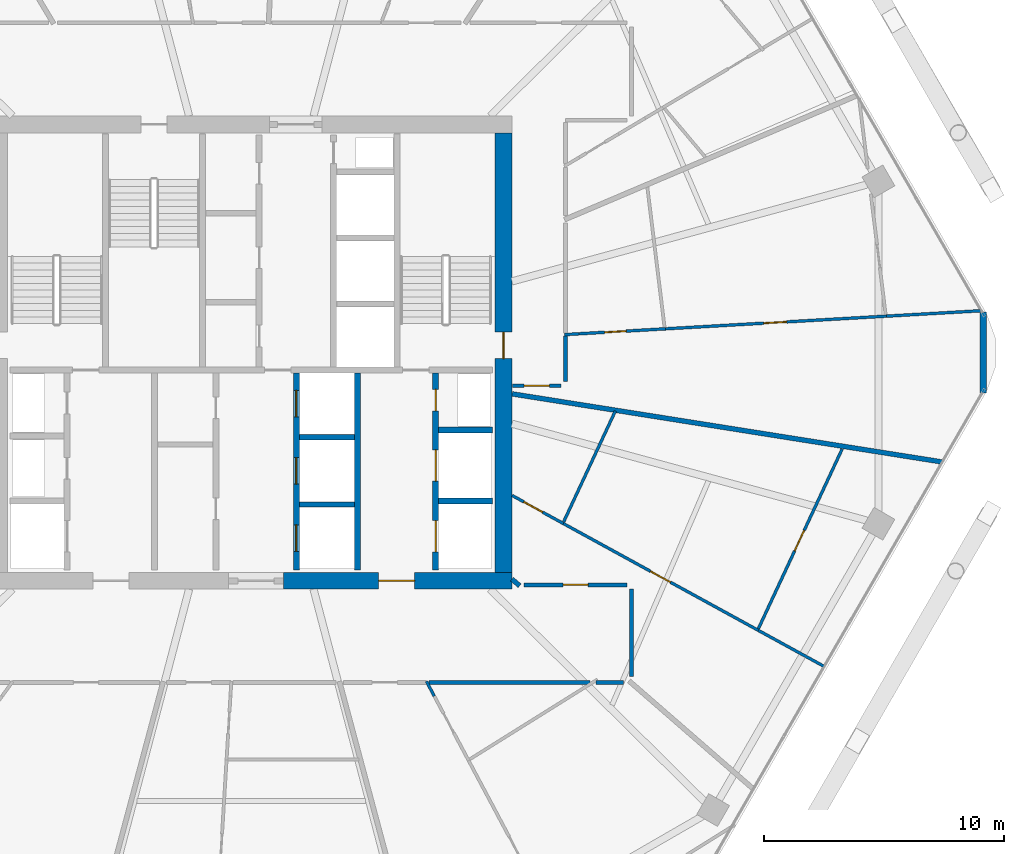
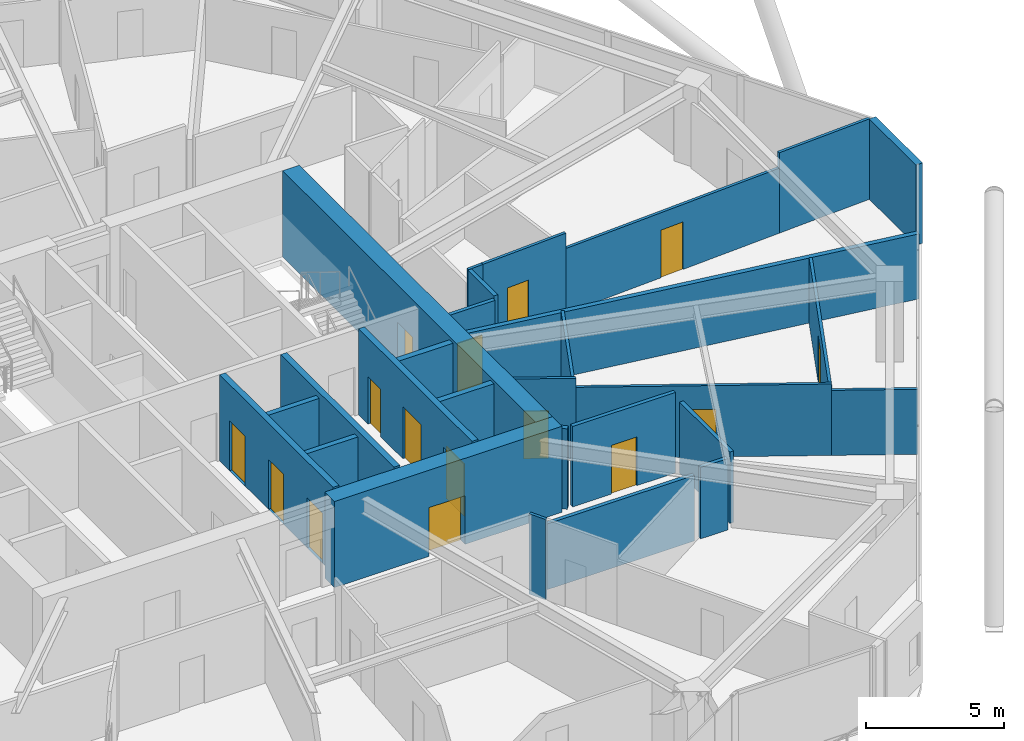
# One storey, part 23 of 29: 28 walls, 15 doors, 15 openings.
"""IFC4 building model written with IfcOpenShell, lengths in metres."""

from ifc_helpers import new_model, si_unit, direction, frame, frame_2d, origin, place, context, subcontext, project, spatial, rectangle, extrude, material, layer, layer_set, type_object, element, fill, save


model = new_model("IFC4")

# Units and contexts
model_context = context("Model", 3, precision=1e-05, world=origin(), true_north=direction((0.0, 1.0)))
body_context = subcontext(model_context, "Body", "Model", "MODEL_VIEW")
ifc_project = project(units=[si_unit("LENGTHUNIT", "METRE"), si_unit("AREAUNIT", "SQUARE_METRE"), si_unit("VOLUMEUNIT", "CUBIC_METRE"), si_unit("PLANEANGLEUNIT", "RADIAN"), si_unit("MASSUNIT", "GRAM", prefix="KILO")], contexts=[model_context])

# Site, building, storey
site_placement = place(None, origin())
site = spatial("IfcSite", under=ifc_project, at=site_placement, CompositionType="ELEMENT")
building_placement = place(site_placement, origin())
building = spatial("IfcBuilding", under=site, at=building_placement, Name="Zuhravey Tower", CompositionType="ELEMENT")
storey_placement = place(building_placement, frame((0.0, 0.0, 161.800048828125)))
storey = spatial("IfcBuildingStorey", under=building, at=storey_placement, Name="L40", CompositionType="ELEMENT", Elevation=161.800048828125)

# Wall, opening, door
ifc_material_1 = material(Name="Concrete C60/75", Category="concrete")
ifc_layer_1 = layer(ifc_material_1, 0.699951171875)
ifc_layer_set_1 = layer_set([ifc_layer_1], Name="Concrete C60/75")
wall_type_1 = type_object("IfcWallType", Name="Core Shear Wall 700", PredefinedType="SHEAR", material=ifc_layer_set_1)
wall_1_placement = place(storey_placement, frame((37.35009765625, 22.5, 0.0), z_axis=(0.0, 0.0, 1.0), x_axis=(1.0, 0.0, 0.0)))
wall_1 = element("IfcWall", 1, at=wall_1_placement, inside=storey, type_object=wall_type_1, Name="L40 South-East Core Shear Wall CW70", PredefinedType="SHEAR", context=body_context, shape_type="SweptSolid", body=[
    extrude(rectangle(XDim=9.5, YDim=0.699951171875, at=frame_2d((4.75, 0.0))), origin(), (0.0, 0.0, 1.0), 3.800048828125),
])
opening_1_placement = place(wall_1_placement, frame((3.949951171875, 0.0, 0.0)))
opening_1 = element("IfcOpeningElement", 2, at=opening_1_placement, cuts=wall_1, Name="Opening FFD1", PredefinedType="OPENING", context=body_context, shape_type="SweptSolid", body=[
    extrude(rectangle(XDim=1.5, YDim=2.14990234375, at=frame_2d((0.75, 1.074951171875))), frame((0.0, 0.362060546875, 0.0), z_axis=(0.0, -1.0, 0.0), x_axis=(1.0, 0.0, 0.0)), (0.0, 0.0, 1.0), 0.723876953125),
])
ifc_material_2 = material(Name="Galvanised fire-rated steel leaf", Category="steel")
door_type_1 = type_object("IfcDoorType", Name="Firefighting Lobby Double Door 1500x2150", OperationType="DOUBLE_DOOR_SINGLE_SWING", PredefinedType="DOOR", material=ifc_material_2)
door_1_placement = place(opening_1_placement, origin())
door_1 = element("IfcDoor", 3, at=door_1_placement, inside=storey, type_object=door_type_1, Name="L40 Firefighting Lobby East Door", OperationType="DOUBLE_DOOR_SINGLE_SWING", OverallHeight=2.14990234375, OverallWidth=1.5, PredefinedType="DOOR", context=body_context, shape_type="SweptSolid", body=[
    extrude(rectangle(XDim=1.5, YDim=2.14990234375, at=frame_2d((0.75, 1.074951171875))), frame((0.0, 0.02490234375, 0.0), z_axis=(0.0, -1.0, 0.0), x_axis=(1.0, 0.0, 0.0)), (0.0, 0.0, 1.0), 0.050048828125),
])
fill(opening_1, door_1)

wall_2_placement = place(storey_placement, frame((46.5, 22.85009765625, 0.0), z_axis=(0.0, 0.0, 1.0), x_axis=(0.0, 1.0, 0.0)))
wall_2 = element("IfcWall", 4, at=wall_2_placement, inside=storey, type_object=wall_type_1, Name="L40 East Core Shear Wall CW70", PredefinedType="SHEAR", context=body_context, shape_type="SweptSolid", body=[
    extrude(rectangle(XDim=18.2998046875, YDim=0.699951171875, at=frame_2d((9.14990234375, 0.0))), origin(), (0.0, 0.0, 1.0), 3.800048828125),
])
opening_2_placement = place(wall_2_placement, frame((8.89990234375, 0.0, 0.0)))
opening_2 = element("IfcOpeningElement", 5, at=opening_2_placement, cuts=wall_2, Name="Opening STD1", PredefinedType="OPENING", context=body_context, shape_type="SweptSolid", body=[
    extrude(rectangle(XDim=1.10009765625, YDim=2.14990234375, at=frame_2d((0.550048828125, 1.074951171875))), frame((0.0, 0.362060546875, 0.0), z_axis=(0.0, -1.0, 0.0), x_axis=(1.0, 0.0, 0.0)), (0.0, 0.0, 1.0), 0.723876953125),
])
door_type_2 = type_object("IfcDoorType", Name="Protected Stair Fire Door 1100x2150", OperationType="NOTDEFINED", PredefinedType="USERDEFINED", material=ifc_material_2)
door_2_placement = place(opening_2_placement, origin())
door_2 = element("IfcDoor", 6, at=door_2_placement, inside=storey, type_object=door_type_2, Name="L40 Stair ST2 Door", ObjectType="EXITDOOR", OperationType="SINGLE_SWING_LEFT", OverallHeight=2.14990234375, OverallWidth=1.10009765625, PredefinedType="USERDEFINED", context=body_context, shape_type="SweptSolid", body=[
    extrude(rectangle(XDim=1.10009765625, YDim=2.14990234375, at=frame_2d((0.550048828125, 1.074951171875))), frame((0.0, 0.02490234375, 0.0), z_axis=(0.0, -1.0, 0.0), x_axis=(1.0, 0.0, 0.0)), (0.0, 0.0, 1.0), 0.050048828125),
])
fill(opening_2, door_2)

ifc_material_3 = material(Name="Gypsum fire-rated stud partition")
ifc_layer_2 = layer(ifc_material_3, 0.159912109375)
ifc_layer_set_2 = layer_set([ifc_layer_2], Name="Gypsum fire-rated stud partition")
wall_type_2 = type_object("IfcWallType", Name="Corridor Fire Partition 160", PredefinedType="PARTITIONING", material=ifc_layer_set_2)
wall_3_placement = place(storey_placement, frame((51.64990234375, 22.330078125, 0.0), z_axis=(0.0, 0.0, 1.0), x_axis=(-1.0, 0.0, 0.0)))
wall_3 = element("IfcWall", 7, at=wall_3_placement, inside=storey, type_object=wall_type_2, Name="L40 IW16 Partition 062", PredefinedType="PARTITIONING", context=body_context, shape_type="SweptSolid", body=[
    extrude(rectangle(XDim=4.297119140625, YDim=0.159912109375, at=frame_2d((2.1484375, 0.0))), origin(), (0.0, 0.0, 1.0), 3.550048828125),
])
opening_3_placement = place(wall_3_placement, frame((1.62353515625, 0.0, 0.0)))
opening_3 = element("IfcOpeningElement", 8, at=opening_3_placement, cuts=wall_3, Name="Opening APD1", PredefinedType="OPENING", context=body_context, shape_type="SweptSolid", body=[
    extrude(rectangle(XDim=1.050048828125, YDim=2.14990234375, at=frame_2d((0.52490234375, 1.074951171875))), frame((0.0, 0.092041015625, 0.0), z_axis=(0.0, -1.0, 0.0), x_axis=(1.0, 0.0, 0.0)), (0.0, 0.0, 1.0), 0.183837890625),
])
ifc_material_4 = material(Name="Solid-core oak fire-rated leaf")
door_type_3 = type_object("IfcDoorType", Name="Apartment Entrance Fire Door 1050x2150", OperationType="NOTDEFINED", PredefinedType="DOOR", material=ifc_material_4)
door_3_placement = place(opening_3_placement, origin())
door_3 = element("IfcDoor", 9, at=door_3_placement, inside=storey, type_object=door_type_3, Name="L40 Door 062.1", OperationType="SINGLE_SWING_LEFT", OverallHeight=2.14990234375, OverallWidth=1.050048828125, PredefinedType="DOOR", context=body_context, shape_type="SweptSolid", body=[
    extrude(rectangle(XDim=1.050048828125, YDim=2.14990234375, at=frame_2d((0.52490234375, 1.074951171875))), frame((0.0, 0.02490234375, 0.0), z_axis=(0.0, -1.0, 0.0), x_axis=(1.0, 0.0, 0.0)), (0.0, 0.0, 1.0), 0.050048828125),
])
fill(opening_3, door_3)

wall_4_placement = place(storey_placement, frame((46.8701171875, 30.6201171875, 0.0), z_axis=(0.0, 0.0, 1.0), x_axis=(1.0, 0.0, 0.0)))
wall_4 = element("IfcWall", 10, at=wall_4_placement, inside=storey, type_object=wall_type_2, Name="L40 IW16 Partition 066", PredefinedType="PARTITIONING", context=body_context, shape_type="SweptSolid", body=[
    extrude(rectangle(XDim=2.02978515625, YDim=0.159912109375, at=frame_2d((1.014892578125, 0.0))), origin(), (0.0, 0.0, 1.0), 3.550048828125),
])
opening_4_placement = place(wall_4_placement, frame((0.489990234375, 0.0, 0.0)))
opening_4 = element("IfcOpeningElement", 11, at=opening_4_placement, cuts=wall_4, Name="Opening APD1", PredefinedType="OPENING", context=body_context, shape_type="SweptSolid", body=[
    extrude(rectangle(XDim=1.050048828125, YDim=2.14990234375, at=frame_2d((0.52490234375, 1.074951171875))), frame((0.0, 0.092041015625, 0.0), z_axis=(0.0, -1.0, 0.0), x_axis=(1.0, 0.0, 0.0)), (0.0, 0.0, 1.0), 0.183837890625),
])
door_4_placement = place(opening_4_placement, origin())
door_4 = element("IfcDoor", 12, at=door_4_placement, inside=storey, type_object=door_type_3, Name="L40 Door 066.1", OperationType="SINGLE_SWING_LEFT", OverallHeight=2.14990234375, OverallWidth=1.050048828125, PredefinedType="DOOR", context=body_context, shape_type="SweptSolid", body=[
    extrude(rectangle(XDim=1.050048828125, YDim=2.14990234375, at=frame_2d((0.52490234375, 1.074951171875))), frame((0.0, 0.02490234375, 0.0), z_axis=(0.0, -1.0, 0.0), x_axis=(1.0, 0.0, 0.0)), (0.0, 0.0, 1.0), 0.050048828125),
])
fill(opening_4, door_4)

# Walls
wall_5_placement = place(storey_placement, frame((43.3896484375, 18.27001953125, 0.0), z_axis=(0.0, 0.0, 1.0), x_axis=(1.0, 0.0, 0.0)))
element("IfcWall", 13, at=wall_5_placement, inside=storey, type_object=wall_type_2, Name="L40 IW16 Partition 139", PredefinedType="PARTITIONING", context=body_context, shape_type="SweptSolid", body=[
    extrude(rectangle(XDim=6.7001953125, YDim=0.159912109375, at=frame_2d((3.35009765625, 0.0))), origin(), (0.0, 0.0, 1.0), 2.89990234375),
])
wall_6_placement = place(storey_placement, frame((50.346435546875, 18.27001953125, 0.0), z_axis=(0.0, 0.0, 1.0), x_axis=(1.0, 0.0, 0.0)))
element("IfcWall", 14, at=wall_6_placement, inside=storey, type_object=wall_type_2, Name="L40 IW16 Partition 140", PredefinedType="PARTITIONING", context=body_context, shape_type="SweptSolid", body=[
    extrude(rectangle(XDim=1.142333984375, YDim=0.159912109375, at=frame_2d((0.5712890625, 0.0))), origin(), (0.0, 0.0, 1.0), 3.14990234375),
])
wall_7_placement = place(storey_placement, frame((51.830078125, 18.506103515625, 0.0), z_axis=(0.0, 0.0, 1.0), x_axis=(0.0, 1.0, 0.0)))
element("IfcWall", 15, at=wall_7_placement, inside=storey, type_object=wall_type_2, Name="L40 IW16 Partition 141", PredefinedType="PARTITIONING", context=body_context, shape_type="SweptSolid", body=[
    extrude(rectangle(XDim=3.643798828125, YDim=0.159912109375, at=frame_2d((1.82177734375, 0.0))), origin(), (0.0, 0.0, 1.0), 3.14990234375),
])
wall_8_placement = place(storey_placement, frame((49.080078125, 30.800048828125, 0.0), z_axis=(0.0, 0.0, 1.0), x_axis=(0.0, 1.0, 0.0)))
element("IfcWall", 16, at=wall_8_placement, inside=storey, type_object=wall_type_2, Name="L40 IW16 Partition 142", PredefinedType="PARTITIONING", context=body_context, shape_type="SweptSolid", body=[
    extrude(rectangle(XDim=1.88134765625, YDim=0.159912109375, at=frame_2d((0.940673828125, 0.0))), origin(), (0.0, 0.0, 1.0), 3.550048828125),
])
ifc_material_5 = material(Name="Precast concrete C40/50", Category="concrete")
ifc_layer_3 = layer(ifc_material_5, 0.280029296875)
ifc_layer_set_3 = layer_set([ifc_layer_3], Name="Precast concrete C40/50")
wall_type_3 = type_object("IfcWallType", Name="Crown Architectural Wall 280", PredefinedType="SOLIDWALL", material=ifc_layer_set_3)
wall_9_placement = place(storey_placement, frame((66.4716796875, 33.6826171875, 0.0), z_axis=(0.0, 0.0, 1.0), x_axis=(0.0, -1.0, 0.0)))
element("IfcWall", 17, at=wall_9_placement, inside=storey, type_object=wall_type_3, Name="L40 Rounded Corner Closure Wall EW28-12", PredefinedType="SOLIDWALL", context=body_context, shape_type="SweptSolid", body=[
    extrude(rectangle(XDim=3.365234375, YDim=0.280029296875, at=frame_2d((1.6826171875, 0.0))), origin(), (0.0, 0.0, 1.0), 3.550048828125),
])

# Wall, openings, doors
ifc_material_6 = material(Name="Concrete C50/60", Category="concrete")
ifc_layer_4 = layer(ifc_material_6, 0.25)
ifc_layer_set_4 = layer_set([ifc_layer_4], Name="Concrete C50/60")
wall_type_4 = type_object("IfcWallType", Name="Firefighting Shaft & Stair Wall 250", PredefinedType="SOLIDWALL", material=ifc_layer_set_4)
wall_10_placement = place(storey_placement, frame((37.875, 22.949951171875, 0.0), z_axis=(0.0, 0.0, 1.0), x_axis=(0.0, 1.0, 0.0)))
wall_10 = element("IfcWall", 18, at=wall_10_placement, inside=storey, type_object=wall_type_4, Name="L40 FW25 Shaft Wall 014", PredefinedType="SOLIDWALL", context=body_context, shape_type="SweptSolid", body=[
    extrude(rectangle(XDim=8.199951171875, YDim=0.25, at=frame_2d((4.10009765625, 0.0))), origin(), (0.0, 0.0, 1.0), 3.800048828125),
])
opening_5_placement = place(wall_10_placement, frame((0.77490234375, 0.0, 0.0)))
opening_5 = element("IfcOpeningElement", 19, at=opening_5_placement, cuts=wall_10, Name="Opening LD1", PredefinedType="OPENING", context=body_context, shape_type="SweptSolid", body=[
    extrude(rectangle(XDim=1.10009765625, YDim=2.199951171875, at=frame_2d((0.550048828125, 1.10009765625))), frame((0.0, 0.136962890625, 0.0), z_axis=(0.0, -1.0, 0.0), x_axis=(1.0, 0.0, 0.0)), (0.0, 0.0, 1.0), 0.27392578125),
])
opening_6_placement = place(wall_10_placement, frame((3.574951171875, 0.0, 0.0)))
opening_6 = element("IfcOpeningElement", 20, at=opening_6_placement, cuts=wall_10, Name="Opening LD1", PredefinedType="OPENING", context=body_context, shape_type="SweptSolid", body=[
    extrude(rectangle(XDim=1.10009765625, YDim=2.199951171875, at=frame_2d((0.550048828125, 1.10009765625))), frame((0.0, 0.136962890625, 0.0), z_axis=(0.0, -1.0, 0.0), x_axis=(1.0, 0.0, 0.0)), (0.0, 0.0, 1.0), 0.27392578125),
])
opening_7_placement = place(wall_10_placement, frame((6.375, 0.0, 0.0)))
opening_7 = element("IfcOpeningElement", 21, at=opening_7_placement, cuts=wall_10, Name="Opening LD1", PredefinedType="OPENING", context=body_context, shape_type="SweptSolid", body=[
    extrude(rectangle(XDim=1.10009765625, YDim=2.199951171875, at=frame_2d((0.550048828125, 1.10009765625))), frame((0.0, 0.136962890625, 0.0), z_axis=(0.0, -1.0, 0.0), x_axis=(1.0, 0.0, 0.0)), (0.0, 0.0, 1.0), 0.27392578125),
])
ifc_material_7 = material(Name="Brushed stainless steel", Category="steel")
door_type_4 = type_object("IfcDoorType", Name="Lift Landing Sliding Door 1100x2200", OperationType="DOUBLE_DOOR_SLIDING", PredefinedType="DOOR", material=ifc_material_7)
door_5_placement = place(opening_5_placement, origin())
door_5 = element("IfcDoor", 22, at=door_5_placement, inside=storey, type_object=door_type_4, Name="L40 Lift PL4 Landing Door", OperationType="DOUBLE_DOOR_SLIDING", OverallHeight=2.199951171875, OverallWidth=1.10009765625, PredefinedType="DOOR", context=body_context, shape_type="SweptSolid", body=[
    extrude(rectangle(XDim=1.10009765625, YDim=2.199951171875, at=frame_2d((0.550048828125, 1.10009765625))), frame((0.0, 0.02490234375, 0.0), z_axis=(0.0, -1.0, 0.0), x_axis=(1.0, 0.0, 0.0)), (0.0, 0.0, 1.0), 0.050048828125),
])
fill(opening_5, door_5)
door_6_placement = place(opening_6_placement, origin())
door_6 = element("IfcDoor", 23, at=door_6_placement, inside=storey, type_object=door_type_4, Name="L40 Lift PL5 Landing Door", OperationType="DOUBLE_DOOR_SLIDING", OverallHeight=2.199951171875, OverallWidth=1.10009765625, PredefinedType="DOOR", context=body_context, shape_type="SweptSolid", body=[
    extrude(rectangle(XDim=1.10009765625, YDim=2.199951171875, at=frame_2d((0.550048828125, 1.10009765625))), frame((0.0, 0.02490234375, 0.0), z_axis=(0.0, -1.0, 0.0), x_axis=(1.0, 0.0, 0.0)), (0.0, 0.0, 1.0), 0.050048828125),
])
fill(opening_6, door_6)
door_7_placement = place(opening_7_placement, origin())
door_7 = element("IfcDoor", 24, at=door_7_placement, inside=storey, type_object=door_type_4, Name="L40 Lift PL6 Landing Door", OperationType="DOUBLE_DOOR_SLIDING", OverallHeight=2.199951171875, OverallWidth=1.10009765625, PredefinedType="DOOR", context=body_context, shape_type="SweptSolid", body=[
    extrude(rectangle(XDim=1.10009765625, YDim=2.199951171875, at=frame_2d((0.550048828125, 1.10009765625))), frame((0.0, 0.02490234375, 0.0), z_axis=(0.0, -1.0, 0.0), x_axis=(1.0, 0.0, 0.0)), (0.0, 0.0, 1.0), 0.050048828125),
])
fill(opening_7, door_7)

# Walls
wall_11_placement = place(storey_placement, frame((40.425048828125, 22.949951171875, 0.0), z_axis=(0.0, 0.0, 1.0), x_axis=(0.0, 1.0, 0.0)))
element("IfcWall", 25, at=wall_11_placement, inside=storey, type_object=wall_type_4, Name="L40 FW25 Shaft Wall 015", PredefinedType="SOLIDWALL", context=body_context, shape_type="SweptSolid", body=[
    extrude(rectangle(XDim=8.199951171875, YDim=0.25, at=frame_2d((4.10009765625, 0.0))), origin(), (0.0, 0.0, 1.0), 3.800048828125),
])
for number, where, z_axis, x_axis, name in (
    (26, (43.800048828125, 25.824951171875, 0.0), (0.0, 0.0, 1.0), (1.0, 0.0, 0.0), "L40 FW25 Shaft Wall 016"),
    (27, (43.800048828125, 28.77490234375, 0.0), (0.0, 0.0, 1.0), (1.0, 0.0, 0.0), "L40 FW25 Shaft Wall 017"),
):
    element("IfcWall", number, at=place(storey_placement, frame(where, z_axis=z_axis, x_axis=x_axis)), inside=storey, type_object=wall_type_4, Name=name, PredefinedType="SOLIDWALL", context=body_context, shape_type="SweptSolid", body=[
        extrude(rectangle(XDim=2.25, YDim=0.25, at=frame_2d((1.125, 0.0))), origin(), (0.0, 0.0, 1.0), 3.800048828125),
    ])

# Wall, openings, doors
wall_12_placement = place(storey_placement, frame((43.675048828125, 22.949951171875, 0.0), z_axis=(0.0, 0.0, 1.0), x_axis=(0.0, 1.0, 0.0)))
wall_12 = element("IfcWall", 28, at=wall_12_placement, inside=storey, type_object=wall_type_4, Name="L40 FW25 Shaft Wall 018", PredefinedType="SOLIDWALL", context=body_context, shape_type="SweptSolid", body=[
    extrude(rectangle(XDim=8.199951171875, YDim=0.25, at=frame_2d((4.10009765625, 0.0))), origin(), (0.0, 0.0, 1.0), 3.800048828125),
])
opening_8_placement = place(wall_12_placement, frame((0.75, 0.0, 0.0)))
opening_8 = element("IfcOpeningElement", 29, at=opening_8_placement, cuts=wall_12, Name="Opening LD2", PredefinedType="OPENING", context=body_context, shape_type="SweptSolid", body=[
    extrude(rectangle(XDim=1.300048828125, YDim=2.300048828125, at=frame_2d((0.64990234375, 1.14990234375))), frame((0.0, 0.136962890625, 0.0), z_axis=(0.0, -1.0, 0.0), x_axis=(1.0, 0.0, 0.0)), (0.0, 0.0, 1.0), 0.27392578125),
])
opening_9_placement = place(wall_12_placement, frame((3.699951171875, 0.0, 0.0)))
opening_9 = element("IfcOpeningElement", 30, at=opening_9_placement, cuts=wall_12, Name="Opening LD2", PredefinedType="OPENING", context=body_context, shape_type="SweptSolid", body=[
    extrude(rectangle(XDim=1.300048828125, YDim=2.300048828125, at=frame_2d((0.64990234375, 1.14990234375))), frame((0.0, 0.136962890625, 0.0), z_axis=(0.0, -1.0, 0.0), x_axis=(1.0, 0.0, 0.0)), (0.0, 0.0, 1.0), 0.27392578125),
])
opening_10_placement = place(wall_12_placement, frame((6.6201171875, 0.0, 0.0)))
opening_10 = element("IfcOpeningElement", 31, at=opening_10_placement, cuts=wall_12, Name="Opening RSD1", PredefinedType="OPENING", context=body_context, shape_type="SweptSolid", body=[
    extrude(rectangle(XDim=0.89990234375, YDim=2.10009765625, at=frame_2d((0.449951171875, 1.050048828125))), frame((0.0, 0.136962890625, 0.0), z_axis=(0.0, -1.0, 0.0), x_axis=(1.0, 0.0, 0.0)), (0.0, 0.0, 1.0), 0.27392578125),
])
door_type_5 = type_object("IfcDoorType", Name="Freight & Stretcher Lift Sliding Door 1300x2300", OperationType="DOUBLE_DOOR_SLIDING", PredefinedType="DOOR", material=ifc_material_7)
door_8_placement = place(opening_8_placement, origin())
door_8 = element("IfcDoor", 32, at=door_8_placement, inside=storey, type_object=door_type_5, Name="L40 Lift FF2 Landing Door", OperationType="DOUBLE_DOOR_SLIDING", OverallHeight=2.300048828125, OverallWidth=1.300048828125, PredefinedType="DOOR", context=body_context, shape_type="SweptSolid", body=[
    extrude(rectangle(XDim=1.300048828125, YDim=2.300048828125, at=frame_2d((0.64990234375, 1.14990234375))), frame((0.0, 0.02490234375, 0.0), z_axis=(0.0, -1.0, 0.0), x_axis=(1.0, 0.0, 0.0)), (0.0, 0.0, 1.0), 0.050048828125),
])
fill(opening_8, door_8)
door_9_placement = place(opening_9_placement, origin())
door_9 = element("IfcDoor", 33, at=door_9_placement, inside=storey, type_object=door_type_5, Name="L40 Lift SV1 Landing Door", OperationType="DOUBLE_DOOR_SLIDING", OverallHeight=2.300048828125, OverallWidth=1.300048828125, PredefinedType="DOOR", context=body_context, shape_type="SweptSolid", body=[
    extrude(rectangle(XDim=1.300048828125, YDim=2.300048828125, at=frame_2d((0.64990234375, 1.14990234375))), frame((0.0, 0.02490234375, 0.0), z_axis=(0.0, -1.0, 0.0), x_axis=(1.0, 0.0, 0.0)), (0.0, 0.0, 1.0), 0.050048828125),
])
fill(opening_9, door_9)
ifc_material_8 = material(Name="Galvanised fire-rated steel access leaf", Category="steel")
door_type_6 = type_object("IfcDoorType", Name="Riser & Shaft Access Fire Door 900x2100", OperationType="NOTDEFINED", PredefinedType="DOOR", material=ifc_material_8)
door_10_placement = place(opening_10_placement, origin())
door_10 = element("IfcDoor", 34, at=door_10_placement, inside=storey, type_object=door_type_6, Name="L40 Plumbing Riser Door", OperationType="SINGLE_SWING_RIGHT", OverallHeight=2.10009765625, OverallWidth=0.89990234375, PredefinedType="DOOR", context=body_context, shape_type="SweptSolid", body=[
    extrude(rectangle(XDim=0.89990234375, YDim=2.10009765625, at=frame_2d((0.449951171875, 1.050048828125))), frame((0.0, 0.02490234375, 0.0), z_axis=(0.0, -1.0, 0.0), x_axis=(1.0, 0.0, 0.0)), (0.0, 0.0, 1.0), 0.050048828125),
])
fill(opening_10, door_10)

# Walls
ifc_material_9 = material(Name="Gypsum double-stud party assembly")
ifc_layer_5 = layer(ifc_material_9, 0.199951171875)
ifc_layer_set_5 = layer_set([ifc_layer_5], Name="Gypsum double-stud party assembly")
wall_type_5 = type_object("IfcWallType", Name="Inter-Tenancy Party Wall 200", PredefinedType="PARTITIONING", material=ifc_layer_set_5)
wall_13_placement = place(storey_placement, frame((46.85009765625, 22.568115234375, 0.0), z_axis=(0.0, 0.0, 1.0), x_axis=(0.754890568134, -0.655850768196, 0.0)))
element("IfcWall", 35, at=wall_13_placement, inside=storey, type_object=wall_type_5, Name="L40 IW20 Partition 114", PredefinedType="PARTITIONING", context=body_context, shape_type="SweptSolid", body=[
    extrude(rectangle(XDim=0.424072265625, YDim=0.199951171875, at=frame_2d((0.2119140625, 0.0))), origin(), (0.0, 0.0, 1.0), 3.550048828125),
])
wall_14_placement = place(storey_placement, frame((46.85791015625, 30.2802734375, 0.0), z_axis=(0.0, 0.0, 1.0), x_axis=(0.987688144009, -0.156435706229, 0.0)))
element("IfcWall", 36, at=wall_14_placement, inside=storey, type_object=wall_type_5, Name="L40 IW20 Partition 118", PredefinedType="PARTITIONING", context=body_context, shape_type="SweptSolid", body=[
    extrude(rectangle(XDim=18.123779296875, YDim=0.199951171875, at=frame_2d((9.06201171875, 0.0))), origin(), (0.0, 0.0, 1.0), 2.869873046875),
])
ifc_material_10 = material(Name="Gypsum acoustic stud assembly")
ifc_layer_6 = layer(ifc_material_10, 0.219970703125)
ifc_layer_set_6 = layer_set([ifc_layer_6], Name="Gypsum acoustic stud assembly")
wall_type_6 = type_object("IfcWallType", Name="School Acoustic Compartment Wall 220", PredefinedType="PARTITIONING", material=ifc_layer_set_6)
for number, where, z_axis, x_axis, name in (
    (37, (38.008056640625, 25.675048828125, 0.0), (0.0, 0.0, 1.0), (1.0, 0.0, 0.0), "L40 IW22 Partition 073"),
    (38, (38.008056640625, 28.47509765625, 0.0), (0.0, 0.0, 1.0), (1.0, 0.0, 0.0), "L40 IW22 Partition 074"),
):
    element("IfcWall", number, at=place(storey_placement, frame(where, z_axis=z_axis, x_axis=x_axis)), inside=storey, type_object=wall_type_6, Name=name, PredefinedType="PARTITIONING", context=body_context, shape_type="SweptSolid", body=[
        extrude(rectangle(XDim=2.283935546875, YDim=0.219970703125, at=frame_2d((1.14208984375, 0.0))), origin(), (0.0, 0.0, 1.0), 3.550048828125),
    ])

# Wall, opening, door
ifc_material_11 = material(Name="Gypsum metal-stud partition")
ifc_layer_7 = layer(ifc_material_11, 0.1201171875)
ifc_layer_set_7 = layer_set([ifc_layer_7], Name="Gypsum metal-stud partition")
wall_type_7 = type_object("IfcWallType", Name="Unit Internal Partition 120", PredefinedType="PARTITIONING", material=ifc_layer_set_7)
wall_15_placement = place(storey_placement, frame((46.85791015625, 26.050537109375, 0.0), z_axis=(0.0, 0.0, 1.0), x_axis=(0.876994813325, -0.480499841209, 0.0)))
wall_15 = element("IfcWall", 39, at=wall_15_placement, inside=storey, type_object=wall_type_7, Name="L40 IW12 Partition 059", PredefinedType="PARTITIONING", context=body_context, shape_type="SweptSolid", body=[
    extrude(rectangle(XDim=2.4384765625, YDim=0.1201171875, at=frame_2d((1.21923828125, 0.0))), origin(), (0.0, 0.0, 1.0), 3.550048828125),
])
opening_11_placement = place(wall_15_placement, frame((0.55224609375, 0.0, 0.0)))
opening_11 = element("IfcOpeningElement", 40, at=opening_11_placement, cuts=wall_15, Name="Opening WCD1", PredefinedType="OPENING", context=body_context, shape_type="SweptSolid", body=[
    extrude(rectangle(XDim=0.89990234375, YDim=2.10009765625, at=frame_2d((0.449951171875, 1.050048828125))), frame((0.0, 0.072021484375, 0.0), z_axis=(0.0, -1.0, 0.0), x_axis=(1.0, 0.0, 0.0)), (0.0, 0.0, 1.0), 0.14404296875),
])
ifc_material_12 = material(Name="Moisture-resistant timber leaf", Category="wood")
door_type_7 = type_object("IfcDoorType", Name="Bathroom & WC Internal Door 900x2100", OperationType="NOTDEFINED", PredefinedType="DOOR", material=ifc_material_12)
door_11_placement = place(opening_11_placement, origin())
door_11 = element("IfcDoor", 41, at=door_11_placement, inside=storey, type_object=door_type_7, Name="Apartment L40-10 Bathroom Door", OperationType="SINGLE_SWING_RIGHT", OverallHeight=2.10009765625, OverallWidth=0.89990234375, PredefinedType="DOOR", context=body_context, shape_type="SweptSolid", body=[
    extrude(rectangle(XDim=0.89990234375, YDim=2.10009765625, at=frame_2d((0.449951171875, 1.050048828125))), frame((0.0, 0.02490234375, 0.0), z_axis=(0.0, -1.0, 0.0), x_axis=(1.0, 0.0, 0.0)), (0.0, 0.0, 1.0), 0.050048828125),
])
fill(opening_11, door_11)

wall_16_placement = place(storey_placement, frame((48.996337890625, 24.87890625, 0.0), z_axis=(0.0, 0.0, 1.0), x_axis=(0.876975739836, -0.480534651965, 0.0)))
wall_16 = element("IfcWall", 42, at=wall_16_placement, inside=storey, type_object=wall_type_7, Name="L40 IW12 Partition 060", PredefinedType="PARTITIONING", context=body_context, shape_type="SweptSolid", body=[
    extrude(rectangle(XDim=9.24658203125, YDim=0.1201171875, at=frame_2d((4.623291015625, 0.0))), origin(), (0.0, 0.0, 1.0), 3.14990234375),
])
opening_12_placement = place(wall_16_placement, frame((4.123291015625, 0.0, 0.0)))
opening_12 = element("IfcOpeningElement", 43, at=opening_12_placement, cuts=wall_16, Name="Opening IND1", PredefinedType="OPENING", context=body_context, shape_type="SweptSolid", body=[
    extrude(rectangle(XDim=0.949951171875, YDim=2.10009765625, at=frame_2d((0.47509765625, 1.050048828125))), frame((0.0, 0.072021484375, 0.0), z_axis=(0.0, -1.0, 0.0), x_axis=(1.0, 0.0, 0.0)), (0.0, 0.0, 1.0), 0.14404296875),
])
ifc_material_13 = material(Name="Painted engineered timber leaf", Category="wood")
door_type_8 = type_object("IfcDoorType", Name="Internal Room & Bedroom Door 950x2100", OperationType="NOTDEFINED", PredefinedType="DOOR", material=ifc_material_13)
door_12_placement = place(opening_12_placement, origin())
door_12 = element("IfcDoor", 44, at=door_12_placement, inside=storey, type_object=door_type_8, Name="Apartment L40-10 Home Office Door", OperationType="SINGLE_SWING_LEFT", OverallHeight=2.10009765625, OverallWidth=0.949951171875, PredefinedType="DOOR", context=body_context, shape_type="SweptSolid", body=[
    extrude(rectangle(XDim=0.949951171875, YDim=2.10009765625, at=frame_2d((0.47509765625, 1.050048828125))), frame((0.0, 0.02490234375, 0.0), z_axis=(0.0, -1.0, 0.0), x_axis=(1.0, 0.0, 0.0)), (0.0, 0.0, 1.0), 0.050048828125),
])
fill(opening_12, door_12)

wall_17_placement = place(storey_placement, frame((57.1123046875, 20.50927734375, 0.0), z_axis=(0.0, 0.0, 1.0), x_axis=(0.422622958653, 0.906305596815, 0.0)))
wall_17 = element("IfcWall", 45, at=wall_17_placement, inside=storey, type_object=wall_type_7, Name="L40 IW12 Partition 061", PredefinedType="PARTITIONING", context=body_context, shape_type="SweptSolid", body=[
    extrude(rectangle(XDim=8.248779296875, YDim=0.1201171875, at=frame_2d((4.12451171875, 0.0))), origin(), (0.0, 0.0, 1.0), 2.89990234375),
])
opening_13_placement = place(wall_17_placement, frame((3.565185546875, 0.0, 0.0)))
opening_13 = element("IfcOpeningElement", 46, at=opening_13_placement, cuts=wall_17, Name="Opening IND1", PredefinedType="OPENING", context=body_context, shape_type="SweptSolid", body=[
    extrude(rectangle(XDim=0.949951171875, YDim=2.10009765625, at=frame_2d((0.47509765625, 1.050048828125))), frame((0.0, 0.072021484375, 0.0), z_axis=(0.0, -1.0, 0.0), x_axis=(1.0, 0.0, 0.0)), (0.0, 0.0, 1.0), 0.14404296875),
])
door_13_placement = place(opening_13_placement, frame((0.949951171875, 0.0, 0.0), z_axis=(0.0, 0.0, 1.0), x_axis=(-1.0, 0.0, 0.0)))
door_13 = element("IfcDoor", 47, at=door_13_placement, inside=storey, type_object=door_type_8, Name="Apartment L40-10 Kitchen Door", OperationType="SINGLE_SWING_RIGHT", OverallHeight=2.10009765625, OverallWidth=0.949951171875, PredefinedType="DOOR", context=body_context, shape_type="SweptSolid", body=[
    extrude(rectangle(XDim=0.949951171875, YDim=2.10009765625, at=frame_2d((0.47509765625, 1.050048828125))), frame((0.0, 0.02490234375, 0.0), z_axis=(0.0, -1.0, 0.0), x_axis=(1.0, 0.0, 0.0)), (0.0, 0.0, 1.0), 0.050048828125),
])
fill(opening_13, door_13)

wall_18_placement = place(storey_placement, frame((49.64990234375, 32.7822265625, 0.0), z_axis=(0.0, 0.0, 1.0), x_axis=(0.998362032919, 0.057212334562, 0.0)))
wall_18 = element("IfcWall", 48, at=wall_18_placement, inside=storey, type_object=wall_type_7, Name="L40 IW12 Partition 063", PredefinedType="PARTITIONING", context=body_context, shape_type="SweptSolid", body=[
    extrude(rectangle(XDim=3.593017578125, YDim=0.1201171875, at=frame_2d((1.79638671875, 0.0))), origin(), (0.0, 0.0, 1.0), 3.550048828125),
])
opening_14_placement = place(wall_18_placement, frame((1.05908203125, 0.0, 0.0)))
opening_14 = element("IfcOpeningElement", 49, at=opening_14_placement, cuts=wall_18, Name="Opening WCD1", PredefinedType="OPENING", context=body_context, shape_type="SweptSolid", body=[
    extrude(rectangle(XDim=0.89990234375, YDim=2.10009765625, at=frame_2d((0.449951171875, 1.050048828125))), frame((0.0, 0.072021484375, 0.0), z_axis=(0.0, -1.0, 0.0), x_axis=(1.0, 0.0, 0.0)), (0.0, 0.0, 1.0), 0.14404296875),
])
door_14_placement = place(opening_14_placement, origin())
door_14 = element("IfcDoor", 50, at=door_14_placement, inside=storey, type_object=door_type_7, Name="Apartment L40-11 Bathroom Door", OperationType="SINGLE_SWING_RIGHT", OverallHeight=2.10009765625, OverallWidth=0.89990234375, PredefinedType="DOOR", context=body_context, shape_type="SweptSolid", body=[
    extrude(rectangle(XDim=0.89990234375, YDim=2.10009765625, at=frame_2d((0.449951171875, 1.050048828125))), frame((0.0, 0.02490234375, 0.0), z_axis=(0.0, -1.0, 0.0), x_axis=(1.0, 0.0, 0.0)), (0.0, 0.0, 1.0), 0.050048828125),
])
fill(opening_14, door_14)

wall_19_placement = place(storey_placement, frame((53.237060546875, 32.98779296875, 0.0), z_axis=(0.0, 0.0, 1.0), x_axis=(0.998361191425, 0.057227016835, 0.0)))
wall_19 = element("IfcWall", 51, at=wall_19_placement, inside=storey, type_object=wall_type_7, Name="L40 IW12 Partition 064", PredefinedType="PARTITIONING", context=body_context, shape_type="SweptSolid", body=[
    extrude(rectangle(XDim=9.21923828125, YDim=0.1201171875, at=frame_2d((4.609619140625, 0.0))), origin(), (0.0, 0.0, 1.0), 2.869873046875),
])
opening_15_placement = place(wall_19_placement, frame((4.109619140625, 0.0, 0.0)))
opening_15 = element("IfcOpeningElement", 52, at=opening_15_placement, cuts=wall_19, Name="Opening IND1", PredefinedType="OPENING", context=body_context, shape_type="SweptSolid", body=[
    extrude(rectangle(XDim=0.949951171875, YDim=2.10009765625, at=frame_2d((0.47509765625, 1.050048828125))), frame((0.0, 0.072021484375, 0.0), z_axis=(0.0, -1.0, 0.0), x_axis=(1.0, 0.0, 0.0)), (0.0, 0.0, 1.0), 0.14404296875),
])
door_15_placement = place(opening_15_placement, origin())
door_15 = element("IfcDoor", 53, at=door_15_placement, inside=storey, type_object=door_type_8, Name="Apartment L40-11 Home Office Door", OperationType="SINGLE_SWING_LEFT", OverallHeight=2.10009765625, OverallWidth=0.949951171875, PredefinedType="DOOR", context=body_context, shape_type="SweptSolid", body=[
    extrude(rectangle(XDim=0.949951171875, YDim=2.10009765625, at=frame_2d((0.47509765625, 1.050048828125))), frame((0.0, 0.02490234375, 0.0), z_axis=(0.0, -1.0, 0.0), x_axis=(1.0, 0.0, 0.0)), (0.0, 0.0, 1.0), 0.050048828125),
])
fill(opening_15, door_15)

# Walls
wall_20_placement = place(storey_placement, frame((43.290283203125, 18.31201171875, 0.0), z_axis=(0.0, 0.0, 1.0), x_axis=(0.470021649014, -0.882654886951, 0.0)))
element("IfcWall", 54, at=wall_20_placement, inside=storey, type_object=wall_type_7, Name="L40 IW12 Partition 111", PredefinedType="PARTITIONING", context=body_context, shape_type="SweptSolid", body=[
    extrude(rectangle(XDim=0.693359375, YDim=0.1201171875, at=frame_2d((0.3466796875, 0.0))), origin(), (0.0, 0.0, 1.0), 3.550048828125),
])
wall_21_placement = place(storey_placement, frame((57.10546875, 20.435546875, 0.0), z_axis=(0.0, 0.0, 1.0), x_axis=(0.876987451506, -0.480513277549, 0.0)))
element("IfcWall", 55, at=wall_21_placement, inside=storey, type_object=wall_type_7, Name="L40 IW12 Partition 116", PredefinedType="PARTITIONING", context=body_context, shape_type="SweptSolid", body=[
    extrude(rectangle(XDim=3.128662109375, YDim=0.1201171875, at=frame_2d((1.564453125, 0.0))), origin(), (0.0, 0.0, 1.0), 2.869873046875),
])
wall_22_placement = place(storey_placement, frame((49.00341796875, 24.95263671875, 0.0), z_axis=(0.0, 0.0, 1.0), x_axis=(0.422601835676, 0.906315446455, 0.0)))
element("IfcWall", 56, at=wall_22_placement, inside=storey, type_object=wall_type_7, Name="L40 IW12 Partition 117", PredefinedType="PARTITIONING", context=body_context, shape_type="SweptSolid", body=[
    extrude(rectangle(XDim=5.089599609375, YDim=0.1201171875, at=frame_2d((2.544921875, 0.0))), origin(), (0.0, 0.0, 1.0), 2.89990234375),
])
wall_23_placement = place(storey_placement, frame((49.034912109375, 32.7470703125, 0.0), z_axis=(0.0, 0.0, 1.0), x_axis=(0.998370044223, 0.057072364576, 0.0)))
element("IfcWall", 57, at=wall_23_placement, inside=storey, type_object=wall_type_7, Name="L40 IW12 Partition 119", PredefinedType="PARTITIONING", context=body_context, shape_type="SweptSolid", body=[
    extrude(rectangle(XDim=0.615966796875, YDim=0.1201171875, at=frame_2d((0.30810546875, 0.0))), origin(), (0.0, 0.0, 1.0), 3.550048828125),
])
wall_24_placement = place(storey_placement, frame((62.441162109375, 33.515380859375, 0.0), z_axis=(0.0, 0.0, 1.0), x_axis=(0.998361464493, 0.057222252793, 0.0)))
element("IfcWall", 58, at=wall_24_placement, inside=storey, type_object=wall_type_7, Name="L40 IW12 Partition 120", PredefinedType="PARTITIONING", context=body_context, shape_type="SweptSolid", body=[
    extrude(rectangle(XDim=3.950927734375, YDim=0.1201171875, at=frame_2d((1.9755859375, 0.0))), origin(), (0.0, 0.0, 1.0), 3.550048828125),
])

save(model, "model.ifc")
